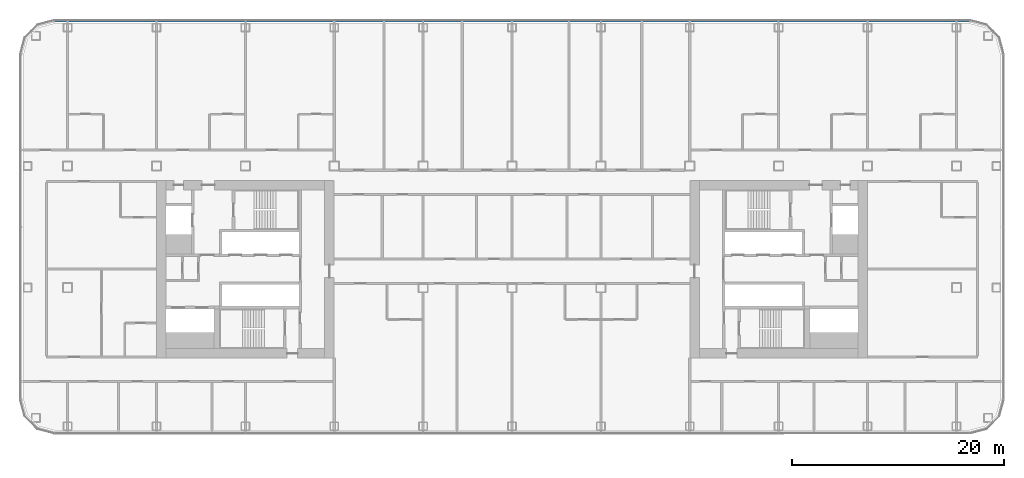
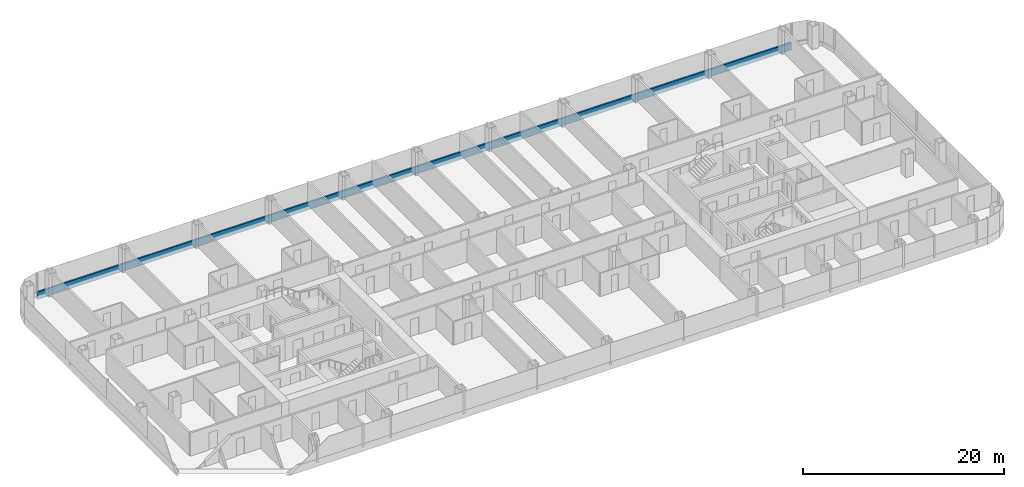
# One storey, part 9 of 29: 1 member, 1 element without a shape of its own.
"""IFC4 building model written with IfcOpenShell, lengths in metres."""

import ifcopenshell
import ifcopenshell.guid

model = None  # the IFC model being written
_history = None  # IfcOwnerHistory: only IFC2X3 demands one
_inside = {}  # id of a spatial element -> (the spatial element, [elements in it])
_under = {}  # id of a project, library or spatial element -> (it, [spatial elements below it])
_declared = {}  # id of a project -> (the project, [libraries it declares])
_typed = {}  # id of a type object -> (the type object, [elements of that type])
_made_of = {}  # id of a material, layer set ... -> (it, [elements and type objects made of it])


def new_model(schema):
    """Start an empty IFC model of exactly this schema.

    Asked for "IFC4X3", IfcOpenShell would pick the latest addendum, in which some entities
    have other attributes; the version numbers below select the first issue.
    IFC2X3 requires an IfcOwnerHistory on every rooted entity: one is made here for all.
    """
    global model, _history
    if schema == "IFC4X3":
        model = ifcopenshell.file(schema_version=(4, 3, 0, 0))
    else:
        model = ifcopenshell.file(schema=schema)
    _inside.clear()
    _under.clear()
    _declared.clear()
    _typed.clear()
    _made_of.clear()
    _history = None
    if model.schema == "IFC2X3":
        org = make("IfcOrganization", Name="unknown")
        user = make(
            "IfcPersonAndOrganization",
            ThePerson=make("IfcPerson", FamilyName="unknown"),
            TheOrganization=org,
        )
        app = make(
            "IfcApplication",
            ApplicationDeveloper=org,
            Version="unknown",
            ApplicationFullName="unknown",
            ApplicationIdentifier="unknown",
        )
        _history = make(
            "IfcOwnerHistory",
            OwningUser=user,
            OwningApplication=app,
            ChangeAction="ADDED",
            CreationDate=0,
        )
    return model


def make(cls, **values):
    """One entity of the class cls with the attributes given. An attribute that is None is left unset."""
    return model.create_entity(
        cls, **{name: value for name, value in values.items() if value is not None}
    )


def rooted(cls, **values):
    """An entity with a GlobalId (a new one), such as an element, a storey or a relation."""
    return make(cls, GlobalId=ifcopenshell.guid.new(), OwnerHistory=_history, **values)


def si_unit(unit_type, name, prefix=None):
    """IfcSIUnit, for example si_unit("LENGTHUNIT", "METRE", prefix="MILLI")."""
    return make("IfcSIUnit", UnitType=unit_type, Prefix=prefix, Name=name)


def assignment(units):
    """IfcUnitAssignment: the units of a project."""
    return None if units is None else make("IfcUnitAssignment", Units=units)


def point(xyz):
    """IfcCartesianPoint."""
    return None if xyz is None else make("IfcCartesianPoint", Coordinates=xyz)


def direction(xyz):
    """IfcDirection."""
    return None if xyz is None else make("IfcDirection", DirectionRatios=xyz)


def frame(location, z_axis=None, x_axis=None):
    """IfcAxis2Placement3D, a coordinate frame: its origin and axes. An axis left out is left unset."""
    return make(
        "IfcAxis2Placement3D",
        Location=point(location),
        Axis=direction(z_axis),
        RefDirection=direction(x_axis),
    )


def frame_2d(location, x_axis=None):
    """IfcAxis2Placement2D, a coordinate frame in the plane: its origin and x axis."""
    return make(
        "IfcAxis2Placement2D", Location=point(location), RefDirection=direction(x_axis)
    )


def origin():
    """The frame at (0, 0, 0) with its axes left unset."""
    return frame((0.0, 0.0, 0.0))


def origin_2d():
    """The frame at (0, 0) in the plane with its x axis left unset."""
    return frame_2d((0.0, 0.0))


def place(relative_to, where):
    """IfcLocalPlacement: puts the frame where relative to a parent placement (None: the world)."""
    return make(
        "IfcLocalPlacement", PlacementRelTo=relative_to, RelativePlacement=where
    )


def context(
    kind, dimensions, precision=None, world=None, true_north=None, identifier=None
):
    """IfcGeometricRepresentationContext, for example the 3D "Model" context."""
    return make(
        "IfcGeometricRepresentationContext",
        ContextIdentifier=identifier,
        ContextType=kind,
        CoordinateSpaceDimension=dimensions,
        Precision=precision,
        WorldCoordinateSystem=world,
        TrueNorth=true_north,
    )


def subcontext(parent, identifier, kind, view, scale=None):
    """IfcGeometricRepresentationSubContext, for example "Body" below "Model"."""
    return make(
        "IfcGeometricRepresentationSubContext",
        ContextIdentifier=identifier,
        ContextType=kind,
        ParentContext=parent,
        TargetScale=scale,
        TargetView=view,
    )


def project(units=None, contexts=None):
    """IfcProject with its units and contexts."""
    return rooted(
        "IfcProject",
        Name="project",
        RepresentationContexts=contexts,
        UnitsInContext=assignment(units),
    )


def spatial(cls, under=None, at=None, **own):
    """A site, building, storey or space (cls), placed at a placement, below another one or the project."""
    s = rooted(cls, ObjectPlacement=at, **own)
    if under is not None:
        _under.setdefault(under.id(), (under, []))[1].append(s)
    return s


def profile(cls, at=None, kind="AREA", **sizes):
    """A parametric profile (cls). Its sizes go by their IFC names, for example OverallWidth=200.0."""
    return make(cls, ProfileType=kind, Position=at, **sizes)


def rectangle(**sizes):
    """IfcRectangleProfileDef."""
    return profile("IfcRectangleProfileDef", **sizes)


def extrude(swept, where, along, depth):
    """IfcExtrudedAreaSolid: the profile swept, set in the frame where, extruded along a direction by depth."""
    return make(
        "IfcExtrudedAreaSolid",
        SweptArea=swept,
        Position=where,
        ExtrudedDirection=direction(along),
        Depth=depth,
    )


def shape(context_of_items, identifier, shape_type, items):
    """IfcShapeRepresentation: the items that make up one representation, for example the "Body"."""
    return make(
        "IfcShapeRepresentation",
        ContextOfItems=context_of_items,
        RepresentationIdentifier=identifier,
        RepresentationType=shape_type,
        Items=items,
    )


def material(Name=None, Category=None):
    """IfcMaterial."""
    return make("IfcMaterial", Name=Name, Category=Category)


def layer(
    of_material, thickness, ventilated=None, Name=None, Category=None, Priority=None
):
    """IfcMaterialLayer: one layer of a wall or slab, of a material (None: an air gap)."""
    return make(
        "IfcMaterialLayer",
        Material=of_material,
        LayerThickness=thickness,
        IsVentilated=ventilated,
        Name=Name,
        Category=Category,
        Priority=Priority,
    )


def layer_set(layers, Name=None):
    """IfcMaterialLayerSet."""
    return make("IfcMaterialLayerSet", MaterialLayers=layers, LayerSetName=Name)


def material_profile(
    of_material, cross_section, Name=None, Category=None, Priority=None
):
    """IfcMaterialProfile: a cross section and its material."""
    return make(
        "IfcMaterialProfile",
        Name=Name,
        Material=of_material,
        Profile=cross_section,
        Priority=Priority,
        Category=Category,
    )


def profile_set(profiles, Name=None, composite=None):
    """IfcMaterialProfileSet."""
    return make(
        "IfcMaterialProfileSet",
        Name=Name,
        MaterialProfiles=profiles,
        CompositeProfile=composite,
    )


def made_of(thing, what):
    """Note that an element or type object is made of a material, layer set ...; save() writes the relation."""
    if what is not None:
        _made_of.setdefault(what.id(), (what, []))[1].append(thing)
    return thing


def type_object(cls, material=None, **own):
    """A type object (cls), such as IfcWallType, which elements share."""
    return made_of(rooted(cls, **own), material)


def element(
    cls,
    number,
    at=None,
    inside=None,
    cuts=None,
    type_object=None,
    material=None,
    context=None,
    identifier="Body",
    shape_type=None,
    held_by="IfcProductDefinitionShape",
    body=None,
    shapes=None,
    **own,
):
    """One element of the class cls, such as IfcWall. Its Tag is "e" and its number.

    at: its placement. inside: the storey or other place that contains it. cuts: it is an
    opening in that element (IfcRelVoidsElement). A single representation is given by context,
    identifier, shape_type and body (its items); several are given by shapes. held_by: the class
    of the entity that holds the representations. save() writes the other relations.
    """
    e = rooted(cls, Tag="e%d" % number, ObjectPlacement=at, **own)
    if body is not None:
        shapes = [shape(context, identifier, shape_type, body)]
    if shapes is not None:
        e.Representation = make(held_by, Representations=shapes)
    if inside is not None:
        _inside.setdefault(inside.id(), (inside, []))[1].append(e)
    if cuts is not None:
        rooted(
            "IfcRelVoidsElement", RelatingBuildingElement=cuts, RelatedOpeningElement=e
        )
    if type_object is not None:
        _typed.setdefault(type_object.id(), (type_object, []))[1].append(e)
    return made_of(e, material)


def aggregate(whole, parts):
    """IfcRelAggregates: a whole, such as a stair, and the parts it consists of."""
    return rooted("IfcRelAggregates", RelatingObject=whole, RelatedObjects=parts)


def save(model, path):
    """Write the relations noted so far, then the file.

    IfcRelAggregates (storeys below a building ...), IfcRelContainedInSpatialStructure (elements
    in a storey), IfcRelDefinesByType, IfcRelAssociatesMaterial and IfcRelDeclares: one each for
    every whole, place, type object, material and project.
    """
    for whole, parts in _under.values():
        aggregate(whole, parts)
    for where, things in _inside.values():
        rooted(
            "IfcRelContainedInSpatialStructure",
            RelatedElements=things,
            RelatingStructure=where,
        )
    for kind, things in _typed.values():
        rooted("IfcRelDefinesByType", RelatedObjects=things, RelatingType=kind)
    for what, things in _made_of.values():
        rooted("IfcRelAssociatesMaterial", RelatedObjects=things, RelatingMaterial=what)
    for by, libraries in _declared.values():
        rooted("IfcRelDeclares", RelatingContext=by, RelatedDefinitions=libraries)
    model.write(path)


model = new_model("IFC4")

# Units and contexts
model_context = context("Model", 3, precision=1e-05, world=origin(), true_north=direction((0.0, 1.0)))
body_context = subcontext(model_context, "Body", "Model", "MODEL_VIEW")
ifc_project = project(units=[si_unit("LENGTHUNIT", "METRE"), si_unit("AREAUNIT", "SQUARE_METRE"), si_unit("VOLUMEUNIT", "CUBIC_METRE"), si_unit("PLANEANGLEUNIT", "RADIAN"), si_unit("MASSUNIT", "GRAM", prefix="KILO")], contexts=[model_context])

# Site, building, storey
site_placement = place(None, origin())
site = spatial("IfcSite", under=ifc_project, at=site_placement, CompositionType="ELEMENT")
building_placement = place(site_placement, origin())
building = spatial("IfcBuilding", under=site, at=building_placement, Name="Hakoniwa Tower and Hamabe Station Hall", CompositionType="ELEMENT")
storey_placement = place(building_placement, frame((0.0, 0.0, 91.39990234375)))
storey = spatial("IfcBuildingStorey", under=building, at=storey_placement, Name="L25", CompositionType="ELEMENT", Elevation=91.39990234375)

# Curtain wall, member
ifc_material_1 = material(Name="Dark low-e laminated glass", Category="glass")
ifc_layer = layer(ifc_material_1, 0.199951171875)
ifc_layer_set = layer_set([ifc_layer], Name="CW-1 UNITISED GUEST")
curtain_wall_type = type_object("IfcCurtainWallType", Name="CW-1 UNITISED GUEST", PredefinedType="NOTDEFINED", material=ifc_layer_set)
curtain_wall_placement = place(storey_placement, origin())
curtain_wall = element("IfcCurtainWall", 1, at=curtain_wall_placement, inside=storey, type_object=curtain_wall_type, Name="CW-1 curtain wall", PredefinedType="NOTDEFINED")
ifc_material_2 = material(Name="Aluminium 6063-T5 black anodised", Category="aluminium")
ifc_material_profile = material_profile(ifc_material_2, rectangle(XDim=0.199951171875, YDim=0.89990234375, at=origin_2d()), Name="CW SLAB-EDGE BAND 900X200")
ifc_profile_set = profile_set([ifc_material_profile], Name="Aluminium 6063-T5 black anodised")
member_type = type_object("IfcMemberType", Name="CW SLAB-EDGE BAND 900X200", PredefinedType="USERDEFINED", material=ifc_profile_set)
member_placement = place(storey_placement, frame((43.239501953125, 23.449951171875, -0.099853515625), z_axis=(-1.0, 0.0, 0.0), x_axis=(0.0, -1.0, 0.0)))
member = element("IfcMember", 2, at=member_placement, type_object=member_type, Name="CW-1 transom", ObjectType="TRANSOM", PredefinedType="USERDEFINED", context=body_context, shape_type="SweptSolid", body=[
    extrude(rectangle(XDim=0.199951171875, YDim=0.89990234375, at=origin_2d()), origin(), (0.0, 0.0, 1.0), 86.47900390625),
])
aggregate(curtain_wall, [member])

save(model, "model.ifc")
